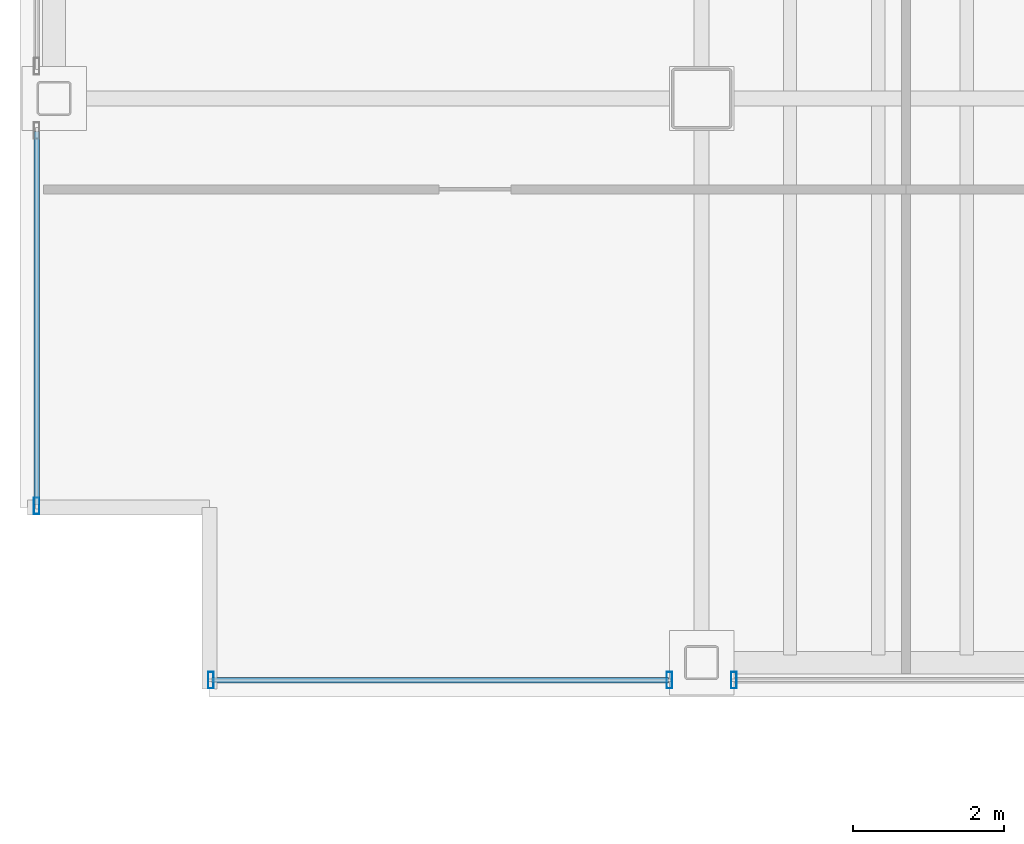
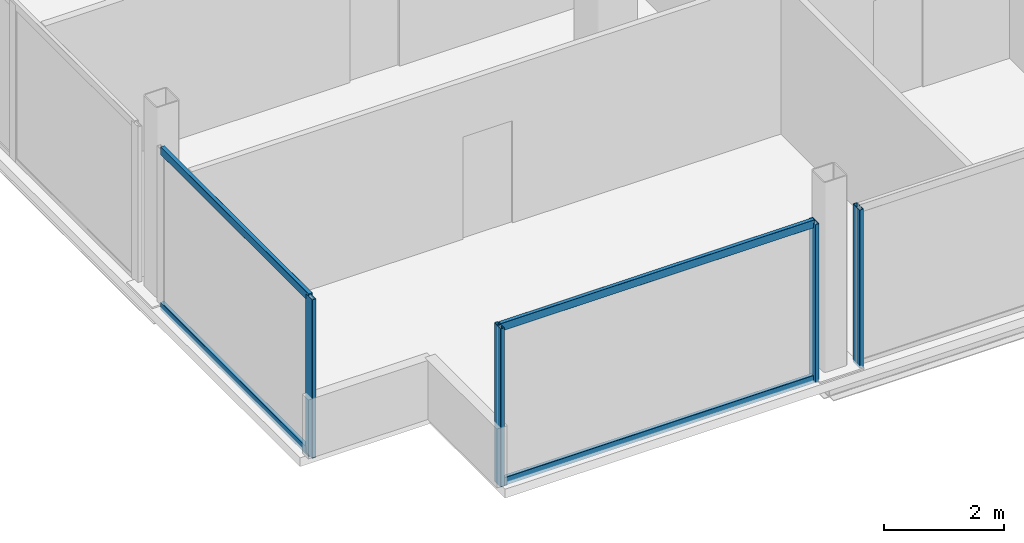
# One storey, part 2 of 17: 8 members, 3 elements without a shape of their own.
"""IFC4 building model written with IfcOpenShell, lengths in metres."""

from ifc_helpers import new_model, si_unit, direction, frame, origin, origin_2d, place, context, subcontext, project, spatial, hollow_rectangle, extrude, material, material_profile, profile_set, type_object, element, aggregate, save


model = new_model("IFC4")

# Units and contexts
model_context = context("Model", 3, precision=1e-05, world=origin(), true_north=direction((0.0, 1.0)))
body_context = subcontext(model_context, "Body", "Model", "MODEL_VIEW")
ifc_project = project(units=[si_unit("LENGTHUNIT", "METRE"), si_unit("AREAUNIT", "SQUARE_METRE"), si_unit("VOLUMEUNIT", "CUBIC_METRE"), si_unit("PLANEANGLEUNIT", "RADIAN"), si_unit("MASSUNIT", "GRAM", prefix="KILO")], contexts=[model_context])

# Site, building, storey
site_placement = place(None, origin())
site = spatial("IfcSite", under=ifc_project, at=site_placement, CompositionType="ELEMENT")
building_placement = place(site_placement, origin())
building = spatial("IfcBuilding", under=site, at=building_placement, Name="Noeulbin Bourse Tower", CompositionType="ELEMENT")
storey_placement = place(building_placement, frame((0.0, 0.0, 250.10009765625)))
storey = spatial("IfcBuildingStorey", under=building, at=storey_placement, Name="L62", CompositionType="ELEMENT", Elevation=250.10009765625)

# Curtain wall, members
ifc_material_1 = material(Name="High-Selectivity Low-Iron Glazing", Category="glass")
curtain_wall_type = type_object("IfcCurtainWallType", Name="CW-SYS-4", PredefinedType="NOTDEFINED", material=ifc_material_1)
curtain_wall_1_placement = place(storey_placement, origin())
curtain_wall_1 = element("IfcCurtainWall", 1, at=curtain_wall_1_placement, inside=storey, type_object=curtain_wall_type, Name="Unitised Curtain Wall CW-L62-S1-S1", PredefinedType="NOTDEFINED")
ifc_material_2 = material(Name="Anodised Aluminium 6063-T6", Category="aluminium")
ifc_material_profile_1 = material_profile(ifc_material_2, hollow_rectangle(XDim=0.074951171875, YDim=0.219970703125, WallThickness=0.0048828125, InnerFilletRadius=0.00244140625, OuterFilletRadius=0.0048828125, at=origin_2d()), Name="ALU-MULL-75x220x5", Category="LoadBearing")
ifc_profile_set_1 = profile_set([ifc_material_profile_1], Name="Anodised Aluminium 6063-T6")
member_type_1 = type_object("IfcMemberType", Name="CW-SYS-4-MUL", PredefinedType="MULLION", material=ifc_profile_set_1)
member_1_placement = place(storey_placement, frame((7.02001953125, 12.320068359375, -0.02001953125), z_axis=(0.0, 0.0, 1.0), x_axis=(1.0, 0.0, 0.0)))
member_1 = element("IfcMember", 2, at=member_1_placement, type_object=member_type_1, Name="Curtain Wall Mullion CW-L62-S1-S1-M00", PredefinedType="MULLION", context=body_context, shape_type="SweptSolid", body=[
    extrude(hollow_rectangle(XDim=0.074951171875, YDim=0.219970703125, WallThickness=0.0048828125, InnerFilletRadius=0.00244140625, OuterFilletRadius=0.0048828125, at=origin_2d()), origin(), (0.0, 0.0, 1.0), 3.219970703125),
])
member_2_placement = place(storey_placement, frame((13.074951171875, 12.320068359375, -0.02001953125), z_axis=(0.0, 0.0, 1.0), x_axis=(1.0, 0.0, 0.0)))
member_2 = element("IfcMember", 3, at=member_2_placement, type_object=member_type_1, Name="Curtain Wall Mullion CW-L62-S1-S1-M01", PredefinedType="MULLION", context=body_context, shape_type="SweptSolid", body=[
    extrude(hollow_rectangle(XDim=0.074951171875, YDim=0.219970703125, WallThickness=0.0048828125, InnerFilletRadius=0.00244140625, OuterFilletRadius=0.0048828125, at=origin_2d()), origin(), (0.0, 0.0, 1.0), 3.219970703125),
])

# Curtain wall, member
curtain_wall_2_placement = place(storey_placement, origin())
curtain_wall_2 = element("IfcCurtainWall", 4, at=curtain_wall_2_placement, inside=storey, type_object=curtain_wall_type, Name="Unitised Curtain Wall CW-L62-S1-S2", PredefinedType="NOTDEFINED")
member_3_placement = place(storey_placement, frame((13.925048828125, 12.320068359375, -0.02001953125), z_axis=(0.0, 0.0, 1.0), x_axis=(1.0, 0.0, 0.0)))
member_3 = element("IfcMember", 5, at=member_3_placement, type_object=member_type_1, Name="Curtain Wall Mullion CW-L62-S1-S2-M00", PredefinedType="MULLION", context=body_context, shape_type="SweptSolid", body=[
    extrude(hollow_rectangle(XDim=0.074951171875, YDim=0.219970703125, WallThickness=0.0048828125, InnerFilletRadius=0.00244140625, OuterFilletRadius=0.0048828125, at=origin_2d()), origin(), (0.0, 0.0, 1.0), 3.219970703125),
])
aggregate(curtain_wall_2, [member_3])

curtain_wall_3_placement = place(storey_placement, origin())
curtain_wall_3 = element("IfcCurtainWall", 6, at=curtain_wall_3_placement, inside=storey, type_object=curtain_wall_type, Name="Unitised Curtain Wall CW-L62-W-S1", PredefinedType="NOTDEFINED")
member_4_placement = place(storey_placement, frame((4.719970703125, 14.6201171875, -0.02001953125), z_axis=(0.0, 0.0, 1.0), x_axis=(1.0, 0.0, 0.0)))
member_4 = element("IfcMember", 7, at=member_4_placement, type_object=member_type_1, Name="Curtain Wall Mullion CW-L62-W-S1-M00", PredefinedType="MULLION", context=body_context, shape_type="SweptSolid", body=[
    extrude(hollow_rectangle(XDim=0.074951171875, YDim=0.219970703125, WallThickness=0.0048828125, InnerFilletRadius=0.00244140625, OuterFilletRadius=0.0048828125, at=origin_2d()), origin(), (0.0, 0.0, 1.0), 3.219970703125),
])

# Member
ifc_material_profile_2 = material_profile(ifc_material_2, hollow_rectangle(XDim=0.074951171875, YDim=0.159912109375, WallThickness=0.0048828125, InnerFilletRadius=0.00244140625, OuterFilletRadius=0.0048828125, at=origin_2d()), Name="ALU-TRAN-75x160x5", Category="LoadBearing")
ifc_profile_set_2 = profile_set([ifc_material_profile_2], Name="Anodised Aluminium 6063-T6")
member_type_2 = type_object("IfcMemberType", Name="CW-SYS-4-TRN", PredefinedType="USERDEFINED", material=ifc_profile_set_2)
member_5_placement = place(storey_placement, frame((7.030029296875, 12.320068359375, 0.010009765625), z_axis=(1.0, 0.0, 0.0), x_axis=(0.0, 1.0, 0.0)))
member_5 = element("IfcMember", 8, at=member_5_placement, type_object=member_type_2, Name="Curtain Wall Transom CW-L62-S1-S1-T00", ObjectType="TRANSOM", PredefinedType="USERDEFINED", context=body_context, shape_type="SweptSolid", body=[
    extrude(hollow_rectangle(XDim=0.074951171875, YDim=0.159912109375, WallThickness=0.0048828125, InnerFilletRadius=0.00244140625, OuterFilletRadius=0.0048828125, at=origin_2d()), origin(), (0.0, 0.0, 1.0), 6.034912109375),
])

member_6_placement = place(storey_placement, frame((7.030029296875, 12.320068359375, 3.169921875), z_axis=(1.0, 0.0, 0.0), x_axis=(0.0, 1.0, 0.0)))
member_6 = element("IfcMember", 9, at=member_6_placement, type_object=member_type_2, Name="Curtain Wall Transom CW-L62-S1-S1-T01", ObjectType="TRANSOM", PredefinedType="USERDEFINED", context=body_context, shape_type="SweptSolid", body=[
    extrude(hollow_rectangle(XDim=0.074951171875, YDim=0.159912109375, WallThickness=0.0048828125, InnerFilletRadius=0.00244140625, OuterFilletRadius=0.0048828125, at=origin_2d()), origin(), (0.0, 0.0, 1.0), 6.034912109375),
])

aggregate(curtain_wall_1, [member_1, member_2, member_5, member_6])

member_7_placement = place(storey_placement, frame((4.719970703125, 14.6298828125, 0.010009765625), z_axis=(0.0, 1.0, 0.0), x_axis=(-1.0, 0.0, 0.0)))
member_7 = element("IfcMember", 10, at=member_7_placement, type_object=member_type_2, Name="Curtain Wall Transom CW-L62-W-S1-T00", ObjectType="TRANSOM", PredefinedType="USERDEFINED", context=body_context, shape_type="SweptSolid", body=[
    extrude(hollow_rectangle(XDim=0.074951171875, YDim=0.159912109375, WallThickness=0.0048828125, InnerFilletRadius=0.00244140625, OuterFilletRadius=0.0048828125, at=origin_2d()), origin(), (0.0, 0.0, 1.0), 4.93505859375),
])

member_8_placement = place(storey_placement, frame((4.719970703125, 14.6298828125, 3.169921875), z_axis=(0.0, 1.0, 0.0), x_axis=(-1.0, 0.0, 0.0)))
member_8 = element("IfcMember", 11, at=member_8_placement, type_object=member_type_2, Name="Curtain Wall Transom CW-L62-W-S1-T01", ObjectType="TRANSOM", PredefinedType="USERDEFINED", context=body_context, shape_type="SweptSolid", body=[
    extrude(hollow_rectangle(XDim=0.074951171875, YDim=0.159912109375, WallThickness=0.0048828125, InnerFilletRadius=0.00244140625, OuterFilletRadius=0.0048828125, at=origin_2d()), origin(), (0.0, 0.0, 1.0), 4.93505859375),
])

aggregate(curtain_wall_3, [member_4, member_7, member_8])

save(model, "model.ifc")
